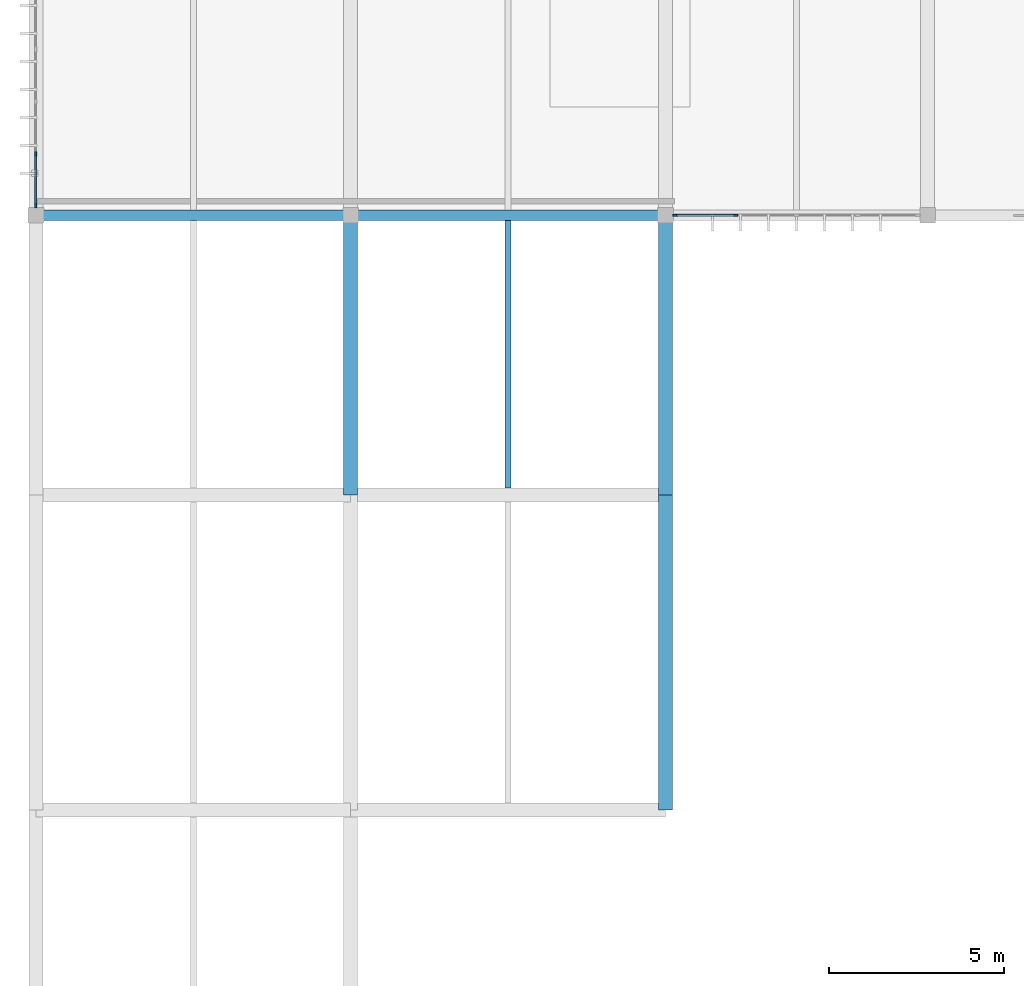
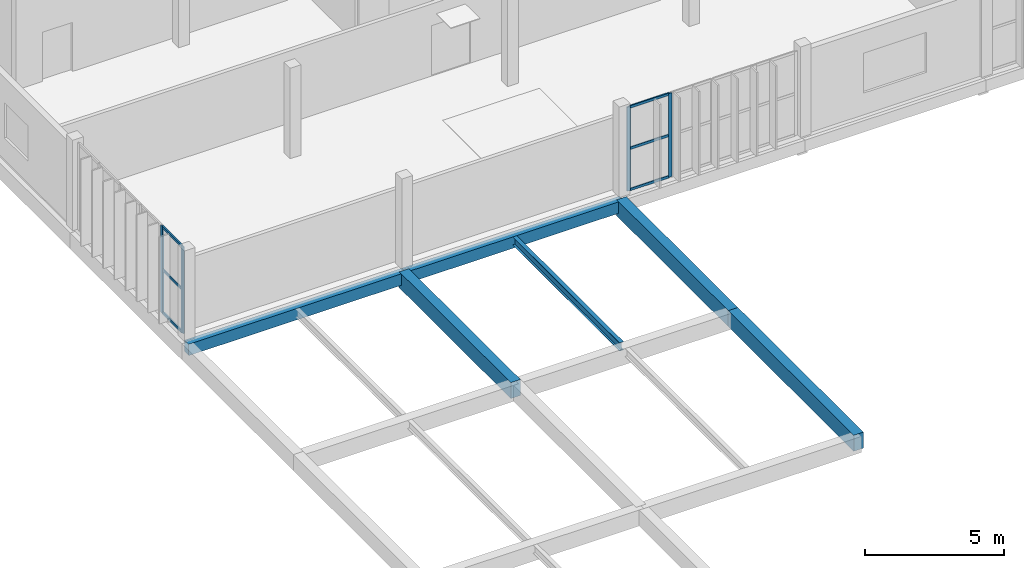
# One storey, part 6 of 26: 10 members, 6 beams, 2 elements without a shape of their own.
"""IFC4 building model written with IfcOpenShell, lengths in metres."""

from ifc_helpers import new_model, si_unit, direction, frame, origin, origin_2d, place, context, subcontext, project, spatial, rectangle, i_section, extrude, material, material_profile, profile_set, type_object, element, aggregate, save


model = new_model("IFC4")

# Units and contexts
model_context = context("Model", 3, precision=1e-05, world=origin(), true_north=direction((0.0, 1.0)))
body_context = subcontext(model_context, "Body", "Model", "MODEL_VIEW")
ifc_project = project(units=[si_unit("LENGTHUNIT", "METRE"), si_unit("AREAUNIT", "SQUARE_METRE"), si_unit("VOLUMEUNIT", "CUBIC_METRE"), si_unit("PLANEANGLEUNIT", "RADIAN"), si_unit("MASSUNIT", "GRAM", prefix="KILO")], contexts=[model_context])

# Site, building, storey
site_placement = place(None, origin())
site = spatial("IfcSite", under=ifc_project, at=site_placement, CompositionType="ELEMENT")
building_placement = place(site_placement, origin())
building = spatial("IfcBuilding", under=site, at=building_placement, Name="Vourika Railside Aquatics Centre", CompositionType="ELEMENT")
storey_placement = place(building_placement, frame((0.0, 0.0, 17.699951171875)))
storey = spatial("IfcBuildingStorey", under=building, at=storey_placement, Name="L04", CompositionType="ELEMENT", Elevation=17.699951171875)

# Beams
ifc_material_1 = material(Name="Concrete C35/45", Category="concrete")
ifc_material_profile_1 = material_profile(ifc_material_1, rectangle(XDim=0.39990234375, YDim=0.699951171875, at=origin_2d()), Name="RC 400x700")
ifc_profile_set_1 = profile_set([ifc_material_profile_1], Name="Concrete C35/45")
beam_type_1 = type_object("IfcBeamType", Name="BM-GIRD-400x700", PredefinedType="BEAM", material=ifc_profile_set_1)
beam_1_placement = place(storey_placement, frame((27.0, 84.0, -0.58984375), z_axis=(0.0, 1.0, 0.0), x_axis=(-1.0, 0.0, 0.0)))
element("IfcBeam", 1, at=beam_1_placement, inside=storey, type_object=beam_type_1, Name="Floor Girder GY-L04-064", PredefinedType="BEAM", context=body_context, shape_type="SweptSolid", body=[
    extrude(rectangle(XDim=0.39990234375, YDim=0.699951171875, at=origin_2d()), origin(), (0.0, 0.0, 1.0), 8.0),
])
beam_2_placement = place(storey_placement, frame((36.0, 75.0, -0.58984375), z_axis=(0.0, 1.0, 0.0), x_axis=(-1.0, 0.0, 0.0)))
element("IfcBeam", 2, at=beam_2_placement, inside=storey, type_object=beam_type_1, Name="Floor Girder GY-L04-067", PredefinedType="BEAM", context=body_context, shape_type="SweptSolid", body=[
    extrude(rectangle(XDim=0.39990234375, YDim=0.699951171875, at=origin_2d()), origin(), (0.0, 0.0, 1.0), 9.0),
])
beam_3_placement = place(storey_placement, frame((36.0, 84.0, -0.58984375), z_axis=(0.0, 1.0, 0.0), x_axis=(-1.0, 0.0, 0.0)))
element("IfcBeam", 3, at=beam_3_placement, inside=storey, type_object=beam_type_1, Name="Floor Girder GY-L04-068", PredefinedType="BEAM", context=body_context, shape_type="SweptSolid", body=[
    extrude(rectangle(XDim=0.39990234375, YDim=0.699951171875, at=origin_2d()), origin(), (0.0, 0.0, 1.0), 8.0),
])
ifc_material_profile_2 = material_profile(ifc_material_1, rectangle(XDim=0.300048828125, YDim=0.5, at=origin_2d()), Name="RC 300x500")
ifc_profile_set_2 = profile_set([ifc_material_profile_2], Name="Concrete C35/45")
beam_type_2 = type_object("IfcBeamType", Name="BM-SPAN-300x500", PredefinedType="SPANDREL", material=ifc_profile_set_2)
for number, where, z_axis, x_axis, name in (
    (4, (18.0, 92.0, -0.489990234375), (1.0, 0.0, 0.0), (0.0, 1.0, 0.0), "Floor Beam GX-L04-006"),
    (5, (27.0, 92.0, -0.489990234375), (1.0, 0.0, 0.0), (0.0, 1.0, 0.0), "Floor Beam GX-L04-007"),
):
    element("IfcBeam", number, at=place(storey_placement, frame(where, z_axis=z_axis, x_axis=x_axis)), inside=storey, type_object=beam_type_2, Name=name, PredefinedType="SPANDREL", context=body_context, shape_type="SweptSolid", body=[
        extrude(rectangle(XDim=0.300048828125, YDim=0.5, at=origin_2d()), origin(), (0.0, 0.0, 1.0), 9.0),
    ])
ifc_material_2 = material(Name="Steel S355J2", Category="steel")
ifc_material_profile_3 = material_profile(ifc_material_2, i_section(OverallWidth=0.169921875, OverallDepth=0.360107421875, WebThickness=0.008056640625, FlangeThickness=0.0126953125, at=origin_2d()), Name="IPE 360")
ifc_profile_set_3 = profile_set([ifc_material_profile_3], Name="Steel S355J2")
beam_type_3 = type_object("IfcBeamType", Name="BM-STL-IPE360", PredefinedType="JOIST", material=ifc_profile_set_3)
beam_4_placement = place(storey_placement, frame((31.5, 84.199951171875, -0.419921875), z_axis=(0.0, 1.0, 0.0), x_axis=(-1.0, 0.0, 0.0)))
element("IfcBeam", 6, at=beam_4_placement, inside=storey, type_object=beam_type_3, Name="Secondary Joist JY-L04-103", PredefinedType="JOIST", context=body_context, shape_type="SweptSolid", body=[
    extrude(i_section(OverallWidth=0.169921875, OverallDepth=0.360107421875, WebThickness=0.008056640625, FlangeThickness=0.0126953125, at=origin_2d()), origin(), (0.0, 0.0, 1.0), 7.650146484375),
])

# Curtain wall, members
ifc_material_3 = material(Name="Anodized thermally broken aluminium", Category="aluminium")
curtain_wall_type = type_object("IfcCurtainWallType", Name="CW-FIT4", PredefinedType="NOTDEFINED", material=ifc_material_3)
curtain_wall_1_placement = place(storey_placement, origin())
curtain_wall_1 = element("IfcCurtainWall", 7, at=curtain_wall_1_placement, inside=storey, type_object=curtain_wall_type, Name="Courtyard Fitness Curtain Wall L04-1", PredefinedType="NOTDEFINED")
ifc_material_4 = material(Name="Anodized aluminium mullion", Category="aluminium")
ifc_material_profile_4 = material_profile(ifc_material_4, rectangle(XDim=0.054931640625, YDim=0.135009765625, at=origin_2d()), Name="ALU-M 55x135")
ifc_profile_set_4 = profile_set([ifc_material_profile_4], Name="Anodized aluminium mullion")
member_type_1 = type_object("IfcMemberType", Name="CWM-FIT4", PredefinedType="MULLION", material=ifc_profile_set_4)
member_1_placement = place(storey_placement, frame((36.282470703125, 92.0, 0.0), z_axis=(0.0, 0.0, 1.0), x_axis=(0.0, 1.0, 0.0)))
member_1 = element("IfcMember", 8, at=member_1_placement, type_object=member_type_1, Name="CW18 mullion 1", PredefinedType="MULLION", context=body_context, shape_type="SweptSolid", body=[
    extrude(rectangle(XDim=0.054931640625, YDim=0.135009765625, at=origin_2d()), origin(), (0.0, 0.0, 1.0), 3.670166015625),
])
member_2_placement = place(storey_placement, frame((38.00244140625, 92.0, 0.0), z_axis=(0.0, 0.0, 1.0), x_axis=(0.0, 1.0, 0.0)))
member_2 = element("IfcMember", 9, at=member_2_placement, type_object=member_type_1, Name="CW18 mullion 2", PredefinedType="MULLION", context=body_context, shape_type="SweptSolid", body=[
    extrude(rectangle(XDim=0.054931640625, YDim=0.135009765625, at=origin_2d()), origin(), (0.0, 0.0, 1.0), 3.670166015625),
])

curtain_wall_2_placement = place(storey_placement, origin())
curtain_wall_2 = element("IfcCurtainWall", 10, at=curtain_wall_2_placement, inside=storey, type_object=curtain_wall_type, Name="Fitness West Boulevard Curtain Wall L04-1", PredefinedType="NOTDEFINED")
member_3_placement = place(storey_placement, frame((18.0, 93.7529296875, 0.0), z_axis=(0.0, 0.0, 1.0), x_axis=(1.0, 0.0, 0.0)))
member_3 = element("IfcMember", 11, at=member_3_placement, type_object=member_type_1, Name="CW18 mullion 5", PredefinedType="MULLION", context=body_context, shape_type="SweptSolid", body=[
    extrude(rectangle(XDim=0.054931640625, YDim=0.135009765625, at=origin_2d()), origin(), (0.0, 0.0, 1.0), 3.800048828125),
])
member_4_placement = place(storey_placement, frame((18.0, 92.282470703125, 0.0), z_axis=(0.0, 0.0, 1.0), x_axis=(1.0, 0.0, 0.0)))
member_4 = element("IfcMember", 12, at=member_4_placement, type_object=member_type_1, Name="CW18 mullion 6", PredefinedType="MULLION", context=body_context, shape_type="SweptSolid", body=[
    extrude(rectangle(XDim=0.054931640625, YDim=0.135009765625, at=origin_2d()), origin(), (0.0, 0.0, 1.0), 3.800048828125),
])

# Member
ifc_material_5 = material(Name="Anodized aluminium transom", Category="aluminium")
ifc_material_profile_5 = material_profile(ifc_material_5, rectangle(XDim=0.054931640625, YDim=0.10595703125, at=origin_2d()), Name="ALU-T 55x106")
ifc_profile_set_5 = profile_set([ifc_material_profile_5], Name="Anodized aluminium transom")
member_type_2 = type_object("IfcMemberType", Name="CWT-FIT4", PredefinedType="USERDEFINED", material=ifc_profile_set_5)
member_5_placement = place(storey_placement, frame((36.31005859375, 92.0, 0.027587890625), z_axis=(1.0, 0.0, 0.0), x_axis=(0.0, 1.0, 0.0)))
member_5 = element("IfcMember", 13, at=member_5_placement, type_object=member_type_2, Name="CW18 transom 1.1", ObjectType="TRANSOM", PredefinedType="USERDEFINED", context=body_context, shape_type="SweptSolid", body=[
    extrude(rectangle(XDim=0.054931640625, YDim=0.10595703125, at=origin_2d()), origin(), (0.0, 0.0, 1.0), 1.6650390625),
])

member_6_placement = place(storey_placement, frame((36.31005859375, 92.0, 1.8349609375), z_axis=(1.0, 0.0, 0.0), x_axis=(0.0, 1.0, 0.0)))
member_6 = element("IfcMember", 14, at=member_6_placement, type_object=member_type_2, Name="CW18 transom 1.2", ObjectType="TRANSOM", PredefinedType="USERDEFINED", context=body_context, shape_type="SweptSolid", body=[
    extrude(rectangle(XDim=0.054931640625, YDim=0.10595703125, at=origin_2d()), origin(), (0.0, 0.0, 1.0), 1.6650390625),
])

member_7_placement = place(storey_placement, frame((36.31005859375, 92.0, 3.642578125), z_axis=(1.0, 0.0, 0.0), x_axis=(0.0, 1.0, 0.0)))
member_7 = element("IfcMember", 15, at=member_7_placement, type_object=member_type_2, Name="CW18 transom 1.3", ObjectType="TRANSOM", PredefinedType="USERDEFINED", context=body_context, shape_type="SweptSolid", body=[
    extrude(rectangle(XDim=0.054931640625, YDim=0.10595703125, at=origin_2d()), origin(), (0.0, 0.0, 1.0), 1.6650390625),
])

aggregate(curtain_wall_1, [member_1, member_2, member_5, member_6, member_7])

member_8_placement = place(storey_placement, frame((18.0, 93.7255859375, 0.027587890625), z_axis=(0.0, -1.0, 0.0), x_axis=(1.0, 0.0, 0.0)))
member_8 = element("IfcMember", 16, at=member_8_placement, type_object=member_type_2, Name="CW18 transom 5.1", ObjectType="TRANSOM", PredefinedType="USERDEFINED", context=body_context, shape_type="SweptSolid", body=[
    extrude(rectangle(XDim=0.054931640625, YDim=0.10595703125, at=origin_2d()), origin(), (0.0, 0.0, 1.0), 1.41552734375),
])

member_9_placement = place(storey_placement, frame((18.0, 93.7255859375, 1.900146484375), z_axis=(0.0, -1.0, 0.0), x_axis=(1.0, 0.0, 0.0)))
member_9 = element("IfcMember", 17, at=member_9_placement, type_object=member_type_2, Name="CW18 transom 5.2", ObjectType="TRANSOM", PredefinedType="USERDEFINED", context=body_context, shape_type="SweptSolid", body=[
    extrude(rectangle(XDim=0.054931640625, YDim=0.10595703125, at=origin_2d()), origin(), (0.0, 0.0, 1.0), 1.41552734375),
])

member_10_placement = place(storey_placement, frame((18.0, 93.7255859375, 3.7724609375), z_axis=(0.0, -1.0, 0.0), x_axis=(1.0, 0.0, 0.0)))
member_10 = element("IfcMember", 18, at=member_10_placement, type_object=member_type_2, Name="CW18 transom 5.3", ObjectType="TRANSOM", PredefinedType="USERDEFINED", context=body_context, shape_type="SweptSolid", body=[
    extrude(rectangle(XDim=0.054931640625, YDim=0.10595703125, at=origin_2d()), origin(), (0.0, 0.0, 1.0), 1.41552734375),
])

aggregate(curtain_wall_2, [member_3, member_4, member_8, member_9, member_10])

save(model, "model.ifc")
